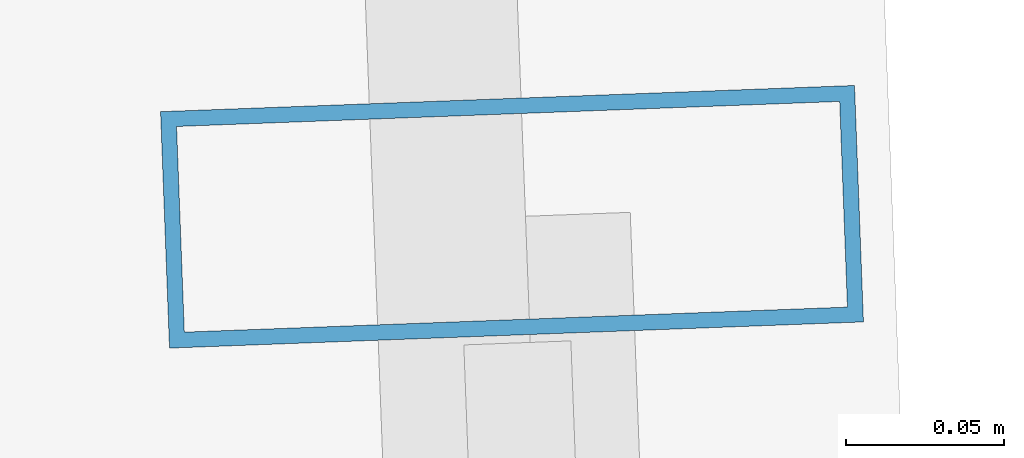
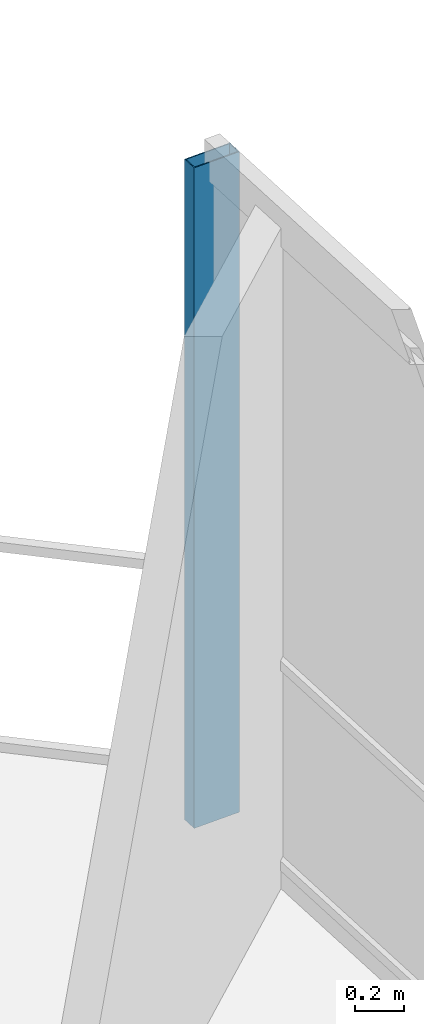
# One storey, part 13 of 19: 1 member, 1 element without a shape of its own.
"""IFC4 building model written with IfcOpenShell, lengths in metres."""

import ifcopenshell
import ifcopenshell.guid

model = None  # the IFC model being written
_history = None  # IfcOwnerHistory: only IFC2X3 demands one
_inside = {}  # id of a spatial element -> (the spatial element, [elements in it])
_under = {}  # id of a project, library or spatial element -> (it, [spatial elements below it])
_declared = {}  # id of a project -> (the project, [libraries it declares])
_typed = {}  # id of a type object -> (the type object, [elements of that type])
_made_of = {}  # id of a material, layer set ... -> (it, [elements and type objects made of it])


def new_model(schema):
    """Start an empty IFC model of exactly this schema.

    Asked for "IFC4X3", IfcOpenShell would pick the latest addendum, in which some entities
    have other attributes; the version numbers below select the first issue.
    IFC2X3 requires an IfcOwnerHistory on every rooted entity: one is made here for all.
    """
    global model, _history
    if schema == "IFC4X3":
        model = ifcopenshell.file(schema_version=(4, 3, 0, 0))
    else:
        model = ifcopenshell.file(schema=schema)
    _inside.clear()
    _under.clear()
    _declared.clear()
    _typed.clear()
    _made_of.clear()
    _history = None
    if model.schema == "IFC2X3":
        org = make("IfcOrganization", Name="unknown")
        user = make(
            "IfcPersonAndOrganization",
            ThePerson=make("IfcPerson", FamilyName="unknown"),
            TheOrganization=org,
        )
        app = make(
            "IfcApplication",
            ApplicationDeveloper=org,
            Version="unknown",
            ApplicationFullName="unknown",
            ApplicationIdentifier="unknown",
        )
        _history = make(
            "IfcOwnerHistory",
            OwningUser=user,
            OwningApplication=app,
            ChangeAction="ADDED",
            CreationDate=0,
        )
    return model


def make(cls, **values):
    """One entity of the class cls with the attributes given. An attribute that is None is left unset."""
    return model.create_entity(
        cls, **{name: value for name, value in values.items() if value is not None}
    )


def rooted(cls, **values):
    """An entity with a GlobalId (a new one), such as an element, a storey or a relation."""
    return make(cls, GlobalId=ifcopenshell.guid.new(), OwnerHistory=_history, **values)


def si_unit(unit_type, name, prefix=None):
    """IfcSIUnit, for example si_unit("LENGTHUNIT", "METRE", prefix="MILLI")."""
    return make("IfcSIUnit", UnitType=unit_type, Prefix=prefix, Name=name)


def assignment(units):
    """IfcUnitAssignment: the units of a project."""
    return None if units is None else make("IfcUnitAssignment", Units=units)


def point(xyz):
    """IfcCartesianPoint."""
    return None if xyz is None else make("IfcCartesianPoint", Coordinates=xyz)


def direction(xyz):
    """IfcDirection."""
    return None if xyz is None else make("IfcDirection", DirectionRatios=xyz)


def frame(location, z_axis=None, x_axis=None):
    """IfcAxis2Placement3D, a coordinate frame: its origin and axes. An axis left out is left unset."""
    return make(
        "IfcAxis2Placement3D",
        Location=point(location),
        Axis=direction(z_axis),
        RefDirection=direction(x_axis),
    )


def frame_2d(location, x_axis=None):
    """IfcAxis2Placement2D, a coordinate frame in the plane: its origin and x axis."""
    return make(
        "IfcAxis2Placement2D", Location=point(location), RefDirection=direction(x_axis)
    )


def origin():
    """The frame at (0, 0, 0) with its axes left unset."""
    return frame((0.0, 0.0, 0.0))


def origin_2d():
    """The frame at (0, 0) in the plane with its x axis left unset."""
    return frame_2d((0.0, 0.0))


def place(relative_to, where):
    """IfcLocalPlacement: puts the frame where relative to a parent placement (None: the world)."""
    return make(
        "IfcLocalPlacement", PlacementRelTo=relative_to, RelativePlacement=where
    )


def context(
    kind, dimensions, precision=None, world=None, true_north=None, identifier=None
):
    """IfcGeometricRepresentationContext, for example the 3D "Model" context."""
    return make(
        "IfcGeometricRepresentationContext",
        ContextIdentifier=identifier,
        ContextType=kind,
        CoordinateSpaceDimension=dimensions,
        Precision=precision,
        WorldCoordinateSystem=world,
        TrueNorth=true_north,
    )


def subcontext(parent, identifier, kind, view, scale=None):
    """IfcGeometricRepresentationSubContext, for example "Body" below "Model"."""
    return make(
        "IfcGeometricRepresentationSubContext",
        ContextIdentifier=identifier,
        ContextType=kind,
        ParentContext=parent,
        TargetScale=scale,
        TargetView=view,
    )


def project(units=None, contexts=None):
    """IfcProject with its units and contexts."""
    return rooted(
        "IfcProject",
        Name="project",
        RepresentationContexts=contexts,
        UnitsInContext=assignment(units),
    )


def spatial(cls, under=None, at=None, **own):
    """A site, building, storey or space (cls), placed at a placement, below another one or the project."""
    s = rooted(cls, ObjectPlacement=at, **own)
    if under is not None:
        _under.setdefault(under.id(), (under, []))[1].append(s)
    return s


def profile(cls, at=None, kind="AREA", **sizes):
    """A parametric profile (cls). Its sizes go by their IFC names, for example OverallWidth=200.0."""
    return make(cls, ProfileType=kind, Position=at, **sizes)


def hollow_rectangle(**sizes):
    """IfcRectangleHollowProfileDef."""
    return profile("IfcRectangleHollowProfileDef", **sizes)


def extrude(swept, where, along, depth):
    """IfcExtrudedAreaSolid: the profile swept, set in the frame where, extruded along a direction by depth."""
    return make(
        "IfcExtrudedAreaSolid",
        SweptArea=swept,
        Position=where,
        ExtrudedDirection=direction(along),
        Depth=depth,
    )


def shape(context_of_items, identifier, shape_type, items):
    """IfcShapeRepresentation: the items that make up one representation, for example the "Body"."""
    return make(
        "IfcShapeRepresentation",
        ContextOfItems=context_of_items,
        RepresentationIdentifier=identifier,
        RepresentationType=shape_type,
        Items=items,
    )


def material(Name=None, Category=None):
    """IfcMaterial."""
    return make("IfcMaterial", Name=Name, Category=Category)


def layer(
    of_material, thickness, ventilated=None, Name=None, Category=None, Priority=None
):
    """IfcMaterialLayer: one layer of a wall or slab, of a material (None: an air gap)."""
    return make(
        "IfcMaterialLayer",
        Material=of_material,
        LayerThickness=thickness,
        IsVentilated=ventilated,
        Name=Name,
        Category=Category,
        Priority=Priority,
    )


def layer_set(layers, Name=None):
    """IfcMaterialLayerSet."""
    return make("IfcMaterialLayerSet", MaterialLayers=layers, LayerSetName=Name)


def material_profile(
    of_material, cross_section, Name=None, Category=None, Priority=None
):
    """IfcMaterialProfile: a cross section and its material."""
    return make(
        "IfcMaterialProfile",
        Name=Name,
        Material=of_material,
        Profile=cross_section,
        Priority=Priority,
        Category=Category,
    )


def profile_set(profiles, Name=None, composite=None):
    """IfcMaterialProfileSet."""
    return make(
        "IfcMaterialProfileSet",
        Name=Name,
        MaterialProfiles=profiles,
        CompositeProfile=composite,
    )


def made_of(thing, what):
    """Note that an element or type object is made of a material, layer set ...; save() writes the relation."""
    if what is not None:
        _made_of.setdefault(what.id(), (what, []))[1].append(thing)
    return thing


def type_object(cls, material=None, **own):
    """A type object (cls), such as IfcWallType, which elements share."""
    return made_of(rooted(cls, **own), material)


def element(
    cls,
    number,
    at=None,
    inside=None,
    cuts=None,
    type_object=None,
    material=None,
    context=None,
    identifier="Body",
    shape_type=None,
    held_by="IfcProductDefinitionShape",
    body=None,
    shapes=None,
    **own,
):
    """One element of the class cls, such as IfcWall. Its Tag is "e" and its number.

    at: its placement. inside: the storey or other place that contains it. cuts: it is an
    opening in that element (IfcRelVoidsElement). A single representation is given by context,
    identifier, shape_type and body (its items); several are given by shapes. held_by: the class
    of the entity that holds the representations. save() writes the other relations.
    """
    e = rooted(cls, Tag="e%d" % number, ObjectPlacement=at, **own)
    if body is not None:
        shapes = [shape(context, identifier, shape_type, body)]
    if shapes is not None:
        e.Representation = make(held_by, Representations=shapes)
    if inside is not None:
        _inside.setdefault(inside.id(), (inside, []))[1].append(e)
    if cuts is not None:
        rooted(
            "IfcRelVoidsElement", RelatingBuildingElement=cuts, RelatedOpeningElement=e
        )
    if type_object is not None:
        _typed.setdefault(type_object.id(), (type_object, []))[1].append(e)
    return made_of(e, material)


def aggregate(whole, parts):
    """IfcRelAggregates: a whole, such as a stair, and the parts it consists of."""
    return rooted("IfcRelAggregates", RelatingObject=whole, RelatedObjects=parts)


def save(model, path):
    """Write the relations noted so far, then the file.

    IfcRelAggregates (storeys below a building ...), IfcRelContainedInSpatialStructure (elements
    in a storey), IfcRelDefinesByType, IfcRelAssociatesMaterial and IfcRelDeclares: one each for
    every whole, place, type object, material and project.
    """
    for whole, parts in _under.values():
        aggregate(whole, parts)
    for where, things in _inside.values():
        rooted(
            "IfcRelContainedInSpatialStructure",
            RelatedElements=things,
            RelatingStructure=where,
        )
    for kind, things in _typed.values():
        rooted("IfcRelDefinesByType", RelatedObjects=things, RelatingType=kind)
    for what, things in _made_of.values():
        rooted("IfcRelAssociatesMaterial", RelatedObjects=things, RelatingMaterial=what)
    for by, libraries in _declared.values():
        rooted("IfcRelDeclares", RelatingContext=by, RelatedDefinitions=libraries)
    model.write(path)


model = new_model("IFC4")

# Units and contexts
model_context = context("Model", 3, precision=1e-05, world=origin(), true_north=direction((0.0, 1.0)))
body_context = subcontext(model_context, "Body", "Model", "MODEL_VIEW")
ifc_project = project(units=[si_unit("LENGTHUNIT", "METRE"), si_unit("AREAUNIT", "SQUARE_METRE"), si_unit("VOLUMEUNIT", "CUBIC_METRE"), si_unit("PLANEANGLEUNIT", "RADIAN"), si_unit("MASSUNIT", "GRAM", prefix="KILO")], contexts=[model_context])

# Site, building, storey
site_placement = place(None, origin())
site = spatial("IfcSite", under=ifc_project, at=site_placement, CompositionType="ELEMENT")
building_placement = place(site_placement, origin())
building = spatial("IfcBuilding", under=site, at=building_placement, Name="Qarnah Convention Tower", CompositionType="ELEMENT")
storey_placement = place(building_placement, frame((0.0, 0.0, 187.800048828125)))
storey = spatial("IfcBuildingStorey", under=building, at=storey_placement, Name="L50", CompositionType="ELEMENT", Elevation=187.800048828125)

# Curtain wall, member
ifc_material_1 = material(Name="Tempered Low-E dark glass", Category="glass")
ifc_layer = layer(ifc_material_1, 0.174072265625)
ifc_layer_set = layer_set([ifc_layer], Name="Tempered Low-E dark glass")
curtain_wall_type = type_object("IfcCurtainWallType", Name="CWS-04", PredefinedType="NOTDEFINED", material=ifc_layer_set)
curtain_wall_placement = place(storey_placement, origin())
curtain_wall = element("IfcCurtainWall", 1, at=curtain_wall_placement, inside=storey, type_object=curtain_wall_type, Name="L50 unitised curtain wall CW-L50-F1", PredefinedType="NOTDEFINED")
ifc_material_2 = material(Name="Black anodised aluminium", Category="aluminium")
ifc_material_profile = material_profile(ifc_material_2, hollow_rectangle(XDim=0.074951171875, YDim=0.219970703125, WallThickness=0.0048828125, at=origin_2d()), Name="MUL-75X220")
ifc_profile_set = profile_set([ifc_material_profile], Name="Black anodised aluminium")
member_type = type_object("IfcMemberType", Name="MUL-T4", PredefinedType="MULLION", material=ifc_profile_set)
member_placement = place(storey_placement, frame((53.02490234375, 41.904052734375, 0.0), z_axis=(0.0, 0.0, 1.0), x_axis=(0.037709646698, -0.999288738326, 0.0)))
member = element("IfcMember", 2, at=member_placement, type_object=member_type, Name="CW-L50-F1 mullion 1", PredefinedType="MULLION", context=body_context, shape_type="SweptSolid", body=[
    extrude(hollow_rectangle(XDim=0.074951171875, YDim=0.219970703125, WallThickness=0.0048828125, at=origin_2d()), origin(), (0.0, 0.0, 1.0), 3.320068359375),
])
aggregate(curtain_wall, [member])

save(model, "model.ifc")
